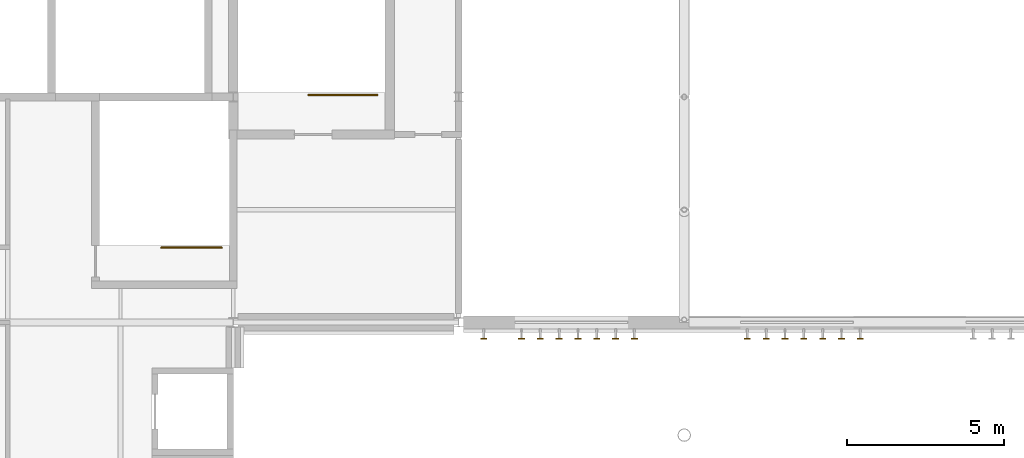
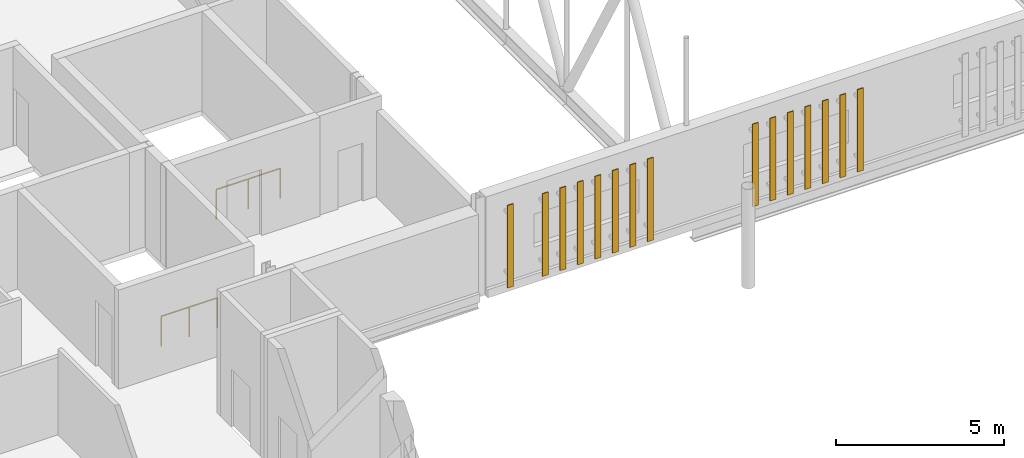
# One storey, part 119 of 142: 15 shading devices, 2 railings.
"""IFC4 building model written with IfcOpenShell, lengths in metres."""

from ifc_helpers import new_model, si_unit, direction, frame, origin, origin_2d, place, context, subcontext, project, spatial, rectangle, circle, extrude, material, layer, layer_set, type_object, element, save


model = new_model("IFC4")

# Units and contexts
model_context = context("Model", 3, precision=1e-05, world=origin(), true_north=direction((0.0, 1.0)))
body_context = subcontext(model_context, "Body", "Model", "MODEL_VIEW")
ifc_project = project(units=[si_unit("LENGTHUNIT", "METRE"), si_unit("AREAUNIT", "SQUARE_METRE"), si_unit("VOLUMEUNIT", "CUBIC_METRE"), si_unit("PLANEANGLEUNIT", "RADIAN"), si_unit("MASSUNIT", "GRAM", prefix="KILO")], contexts=[model_context])

# Site, building, storey
site_placement = place(None, origin())
site = spatial("IfcSite", under=ifc_project, at=site_placement, CompositionType="ELEMENT")
building_placement = place(site_placement, origin())
building = spatial("IfcBuilding", under=site, at=building_placement, Name="Kupolbacken Congress Centre", CompositionType="ELEMENT")
storey_placement = place(building_placement, frame((0.0, 0.0, 14.39990234375)))
storey = spatial("IfcBuildingStorey", under=building, at=storey_placement, Name="L04", CompositionType="ELEMENT", Elevation=14.39990234375)

# Railings
ifc_material_1 = material(Name="Steel S235", Category="steel")
railing_type = type_object("IfcRailingType", Name="RL1 guard 1100 steel balustrade", PredefinedType="GUARDRAIL", material=ifc_material_1)
railing_1_placement = place(storey_placement, frame((78.824951171875, 45.5849609375, 0.0)))
element("IfcRailing", 1, at=railing_1_placement, inside=storey, type_object=railing_type, Name="C/guard/FS2E/L04", PredefinedType="GUARDRAIL", context=body_context, shape_type="SweptSolid", body=[
    extrude(circle(Radius=0.02392578125, at=origin_2d()), frame((0.0, 0.0, 1.076171875), z_axis=(-1.0, 0.0, 0.0), x_axis=(0.0, -1.0, 0.0)), (0.0, 0.0, 1.0), 1.925048828125),
    extrude(circle(Radius=0.02099609375, at=origin_2d()), origin(), (0.0, 0.0, 1.0), 1.052001953125),
    extrude(circle(Radius=0.02099609375, at=origin_2d()), frame((-0.96240234375, 0.0, 0.0)), (0.0, 0.0, 1.0), 1.052001953125),
    extrude(circle(Radius=0.02099609375, at=origin_2d()), frame((-1.925048828125, 0.0, 0.0)), (0.0, 0.0, 1.0), 1.052001953125),
])
railing_2_placement = place(storey_placement, frame((83.800048828125, 50.4599609375, 0.0)))
element("IfcRailing", 2, at=railing_2_placement, inside=storey, type_object=railing_type, Name="C/guard/LS1/L04", PredefinedType="GUARDRAIL", context=body_context, shape_type="SweptSolid", body=[
    extrude(circle(Radius=0.02392578125, at=origin_2d()), frame((0.0, 0.0, 1.076171875), z_axis=(-1.0, 0.0, 0.0), x_axis=(0.0, -1.0, 0.0)), (0.0, 0.0, 1.0), 2.199951171875),
    extrude(circle(Radius=0.02099609375, at=origin_2d()), origin(), (0.0, 0.0, 1.0), 1.052001953125),
    extrude(circle(Radius=0.02099609375, at=origin_2d()), frame((-1.10009765625, 0.0, 0.0)), (0.0, 0.0, 1.0), 1.052001953125),
    extrude(circle(Radius=0.02099609375, at=origin_2d()), frame((-2.199951171875, 0.0, 0.0)), (0.0, 0.0, 1.0), 1.052001953125),
])

# Shading devices
ifc_material_2 = material(Name="Aluminium alloy louvre", Category="aluminium")
ifc_layer = layer(ifc_material_2, 0.030029296875)
ifc_layer_set = layer_set([ifc_layer], Name="Aluminium alloy louvre")
shading_device_type = type_object("IfcShadingDeviceType", Name="SC1 louvre blade 30 x 200", PredefinedType="JALOUSIE", material=ifc_layer_set)
for number, where, z_axis, x_axis, name in (
    (3, (87.200439453125, 42.675048828125, 0.300048828125), (0.0, 0.0, 1.0), (1.0, 0.0, 0.0), "E/brise/S/L04/439/B01"),
    (4, (88.402587890625, 42.675048828125, 0.300048828125), (0.0, 0.0, 1.0), (1.0, 0.0, 0.0), "E/brise/S/L04/439/B03"),
    (5, (89.003662109375, 42.675048828125, 0.300048828125), (0.0, 0.0, 1.0), (1.0, 0.0, 0.0), "E/brise/S/L04/439/B04"),
    (6, (89.604736328125, 42.675048828125, 0.300048828125), (0.0, 0.0, 1.0), (1.0, 0.0, 0.0), "E/brise/S/L04/439/B05"),
    (7, (90.205810546875, 42.675048828125, 0.300048828125), (0.0, 0.0, 1.0), (1.0, 0.0, 0.0), "E/brise/S/L04/439/B06"),
    (8, (90.806884765625, 42.675048828125, 0.300048828125), (0.0, 0.0, 1.0), (1.0, 0.0, 0.0), "E/brise/S/L04/439/B07"),
    (9, (91.407958984375, 42.675048828125, 0.300048828125), (0.0, 0.0, 1.0), (1.0, 0.0, 0.0), "E/brise/S/L04/439/B08"),
    (10, (92.009033203125, 42.675048828125, 0.300048828125), (0.0, 0.0, 1.0), (1.0, 0.0, 0.0), "E/brise/S/L04/439/B09"),
    (11, (95.615234375, 42.675048828125, 0.300048828125), (0.0, 0.0, 1.0), (1.0, 0.0, 0.0), "E/brise/S/L04/439/B15"),
    (12, (96.21630859375, 42.675048828125, 0.300048828125), (0.0, 0.0, 1.0), (1.0, 0.0, 0.0), "E/brise/S/L04/439/B16"),
    (13, (96.8173828125, 42.675048828125, 0.300048828125), (0.0, 0.0, 1.0), (1.0, 0.0, 0.0), "E/brise/S/L04/439/B17"),
    (14, (97.41845703125, 42.675048828125, 0.300048828125), (0.0, 0.0, 1.0), (1.0, 0.0, 0.0), "E/brise/S/L04/439/B18"),
    (15, (98.01953125, 42.675048828125, 0.300048828125), (0.0, 0.0, 1.0), (1.0, 0.0, 0.0), "E/brise/S/L04/439/B19"),
    (16, (98.62060546875, 42.675048828125, 0.300048828125), (0.0, 0.0, 1.0), (1.0, 0.0, 0.0), "E/brise/S/L04/439/B20"),
    (17, (99.2216796875, 42.675048828125, 0.300048828125), (0.0, 0.0, 1.0), (1.0, 0.0, 0.0), "E/brise/S/L04/439/B21"),
):
    element("IfcShadingDevice", number, at=place(storey_placement, frame(where, z_axis=z_axis, x_axis=x_axis)), inside=storey, type_object=shading_device_type, Name=name, PredefinedType="JALOUSIE", context=body_context, shape_type="SweptSolid", body=[
        extrude(rectangle(XDim=0.199951171875, YDim=0.030029296875, at=origin_2d()), origin(), (0.0, 0.0, 1.0), 3.0),
    ])

save(model, "model.ifc")
